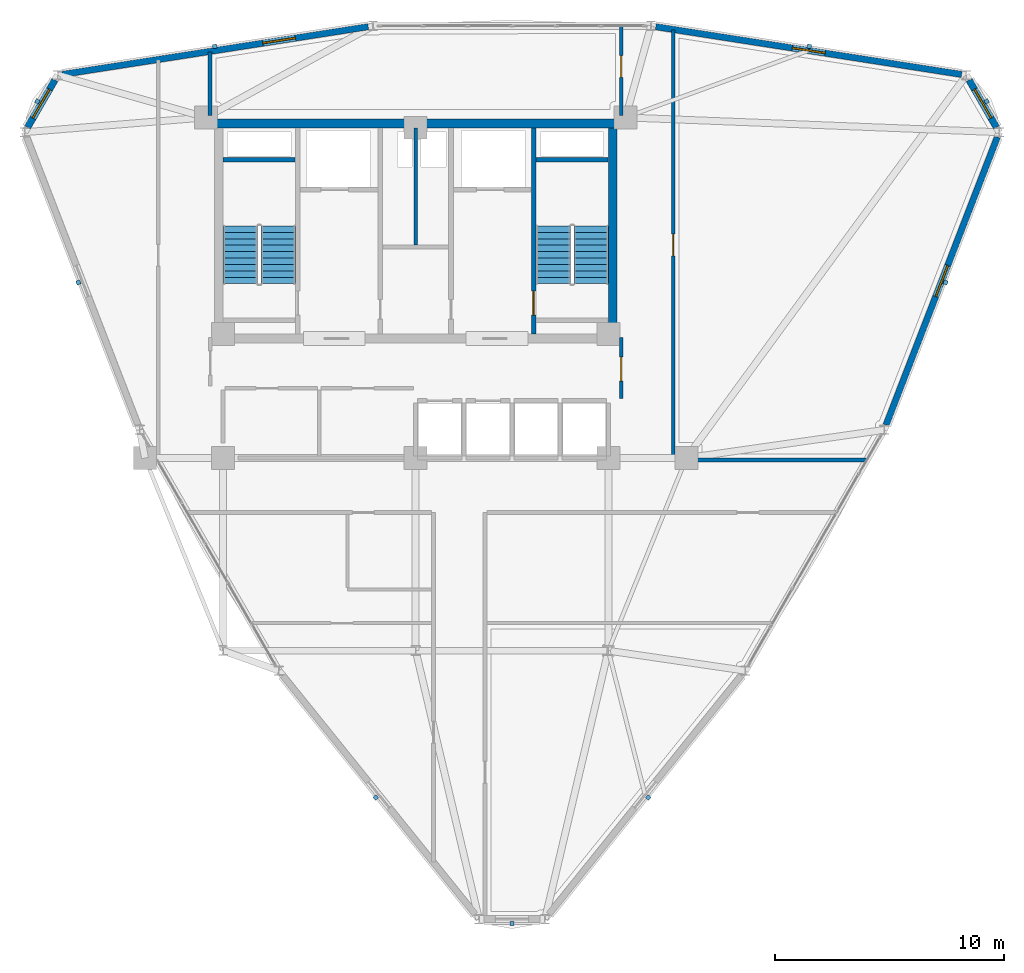
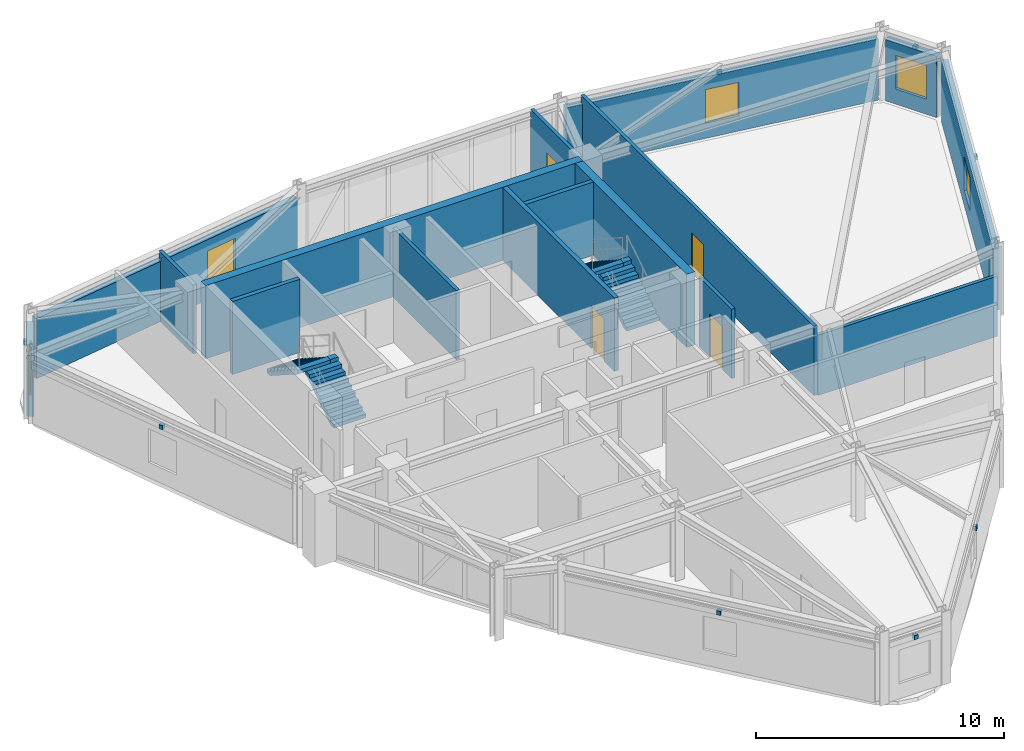
# One storey, part 14 of 16: 16 walls, 9 discrete accessories, 5 windows, 4 doors, 4 stair flights, 9 openings, 2 elements without a shape of their own.
"""IFC4 building model written with IfcOpenShell, lengths in metres."""

from ifc_helpers import new_model, si_unit, derived_unit, direction, frame, frame_2d, origin, origin_2d, place, context, subcontext, project, spatial, polyline, rectangle, outline, extrude, source, transform, mapped, material, layer, layer_set, type_object, element, fill, aggregate, save


model = new_model("IFC4")

# Units and contexts
model_context = context("Model", 3, precision=1e-05, world=origin(), true_north=direction((0.0, 1.0)))
body_context = subcontext(model_context, "Body", "Model", "MODEL_VIEW")
ifc_project = project(units=[si_unit("LENGTHUNIT", "METRE"), si_unit("AREAUNIT", "SQUARE_METRE"), si_unit("VOLUMEUNIT", "CUBIC_METRE"), si_unit("PLANEANGLEUNIT", "RADIAN"), si_unit("MASSUNIT", "GRAM", prefix="KILO"), derived_unit("THERMALTRANSMITTANCEUNIT", [(si_unit("POWERUNIT", "WATT"), 1), (si_unit("LENGTHUNIT", "METRE"), -2), (si_unit("THERMODYNAMICTEMPERATUREUNIT", "KELVIN"), -1)])], contexts=[model_context])

# Site, building, storey
site_placement = place(None, origin())
site = spatial("IfcSite", under=ifc_project, at=site_placement, CompositionType="ELEMENT")
building_placement = place(site_placement, origin())
building = spatial("IfcBuilding", under=site, at=building_placement, Name="Korsvarv Bourse and Concert Hall", CompositionType="ELEMENT")
storey_placement = place(building_placement, frame((0.0, 0.0, 227.39990234375)))
storey = spatial("IfcBuildingStorey", under=building, at=storey_placement, Name="L59", CompositionType="ELEMENT", Elevation=227.39990234375)

# Walls
ifc_material_1 = material(Name="Concrete C50/60", Category="concrete")
ifc_layer_1 = layer(ifc_material_1, 0.3798828125)
ifc_layer_set_1 = layer_set([ifc_layer_1], Name="Concrete C50/60")
wall_type_1 = type_object("IfcWallType", Name="WL-CORE-380", PredefinedType="SHEAR", material=ifc_layer_set_1)
wall_1_placement = place(storey_placement, frame((27.219970703125, 46.989990234375, 0.0), z_axis=(0.0, 0.0, 1.0), x_axis=(1.0, 0.0, 0.0)))
element("IfcWall", 1, at=wall_1_placement, inside=storey, type_object=wall_type_1, Name="L59 North Core Shear Wall", PredefinedType="SHEAR", context=body_context, shape_type="SweptSolid", body=[
    extrude(rectangle(XDim=17.56005859375, YDim=0.3798828125, at=frame_2d((8.780029296875, 0.0))), origin(), (0.0, 0.0, 1.0), 3.60009765625),
])
wall_2_placement = place(storey_placement, frame((44.590087890625, 37.800048828125, 0.0), z_axis=(0.0, 0.0, 1.0), x_axis=(0.0, 1.0, 0.0)))
element("IfcWall", 2, at=wall_2_placement, inside=storey, type_object=wall_type_1, Name="L59 East Core Shear Wall", PredefinedType="SHEAR", context=body_context, shape_type="SweptSolid", body=[
    extrude(rectangle(XDim=9.0, YDim=0.3798828125, at=frame_2d((4.5, 0.0))), origin(), (0.0, 0.0, 1.0), 3.60009765625),
])
wall_3_placement = place(storey_placement, frame((27.610107421875, 45.39990234375, 0.0), z_axis=(0.0, 0.0, 1.0), x_axis=(1.0, 0.0, 0.0)))
element("IfcWall", 3, at=wall_3_placement, inside=storey, type_object=wall_type_1, Name="L59 stair shaft structural wall W-L59-ST1-N", PredefinedType="SHEAR", context=body_context, shape_type="SweptSolid", body=[
    extrude(rectangle(XDim=3.139892578125, YDim=0.199951171875, at=frame_2d((1.56982421875, 0.0))), origin(), (0.0, 0.0, 1.0), 3.60009765625),
])

# Wall, opening, door
wall_4_placement = place(storey_placement, frame((41.139892578125, 37.81005859375, 0.0), z_axis=(0.0, 0.0, 1.0), x_axis=(0.0, 1.0, 0.0)))
wall_4 = element("IfcWall", 4, at=wall_4_placement, inside=storey, type_object=wall_type_1, Name="L59 stair shaft structural wall W-L59-ST2-W", PredefinedType="SHEAR", context=body_context, shape_type="SweptSolid", body=[
    extrude(rectangle(XDim=8.97998046875, YDim=0.199951171875, at=frame_2d((4.489990234375, 0.0))), origin(), (0.0, 0.0, 1.0), 3.60009765625),
])
opening_1_placement = place(wall_4_placement, frame((0.820068359375, 0.0, 0.0)))
opening_1 = element("IfcOpeningElement", 5, at=opening_1_placement, cuts=wall_4, Name="Opening D-01", PredefinedType="OPENING", context=body_context, shape_type="SweptSolid", body=[
    extrude(rectangle(XDim=1.050048828125, YDim=2.10009765625, at=frame_2d((0.52490234375, 1.050048828125))), frame((0.0, 0.10986328125, 0.0), z_axis=(0.0, -1.0, 0.0), x_axis=(1.0, 0.0, 0.0)), (0.0, 0.0, 1.0), 0.219970703125),
])
ifc_material_2 = material(Name="Steel S355 fire door", Category="steel")
door_type_1 = type_object("IfcDoorType", Name="DR-FD60", OperationType="NOTDEFINED", PredefinedType="DOOR", material=ifc_material_2)
door_1_placement = place(opening_1_placement, frame((1.050048828125, 0.0, 0.0), z_axis=(0.0, 0.0, 1.0), x_axis=(-1.0, 0.0, 0.0)))
door_1 = element("IfcDoor", 6, at=door_1_placement, inside=storey, type_object=door_type_1, Name="L59 interior door DR-L59-ST2", OperationType="SINGLE_SWING_LEFT", OverallHeight=2.10009765625, OverallWidth=1.050048828125, PredefinedType="DOOR", context=body_context, shape_type="SweptSolid", body=[
    extrude(rectangle(XDim=1.050048828125, YDim=2.10009765625, at=frame_2d((0.52490234375, 1.050048828125))), frame((0.0, 0.02490234375, 0.0), z_axis=(0.0, -1.0, 0.0), x_axis=(1.0, 0.0, 0.0)), (0.0, 0.0, 1.0), 0.050048828125),
])
fill(opening_1, door_1)

# Wall
wall_5_placement = place(storey_placement, frame((41.25, 45.39990234375, 0.0), z_axis=(0.0, 0.0, 1.0), x_axis=(1.0, 0.0, 0.0)))
element("IfcWall", 7, at=wall_5_placement, inside=storey, type_object=wall_type_1, Name="L59 stair shaft structural wall W-L59-ST2-N", PredefinedType="SHEAR", context=body_context, shape_type="SweptSolid", body=[
    extrude(rectangle(XDim=3.139892578125, YDim=0.199951171875, at=frame_2d((1.56982421875, 0.0))), origin(), (0.0, 0.0, 1.0), 3.60009765625),
])

# Wall, opening, window
ifc_material_3 = material(Name="Precast concrete C45/55 with terracotta rainscreen", Category="concrete")
ifc_layer_2 = layer(ifc_material_3, 0.300048828125)
ifc_layer_set_2 = layer_set([ifc_layer_2], Name="Precast concrete C45/55 with terracotta rainscreen")
wall_type_2 = type_object("IfcWallType", Name="WL-EXT-TC1", PredefinedType="SOLIDWALL", material=ifc_layer_set_2)
wall_6_placement = place(storey_placement, frame((61.32421875, 46.8193359375, 0.0), z_axis=(0.0, 0.0, 1.0), x_axis=(-0.499938113561, 0.866061130988, 0.0)))
wall_6 = element("IfcWall", 8, at=wall_6_placement, inside=storey, type_object=wall_type_2, Name="L59 terracotta exterior wall EW-L59-B01", PredefinedType="SOLIDWALL", context=body_context, shape_type="SweptSolid", body=[
    extrude(rectangle(XDim=2.384521484375, YDim=0.300048828125, at=frame_2d((1.1923828125, 0.0))), origin(), (0.0, 0.0, 1.0), 3.02001953125),
])
opening_2_placement = place(wall_6_placement, frame((0.46728515625, 0.0, 0.75)))
opening_2 = element("IfcOpeningElement", 9, at=opening_2_placement, cuts=wall_6, Name="Opening W-02", PredefinedType="OPENING", context=body_context, shape_type="SweptSolid", body=[
    extrude(rectangle(XDim=1.449951171875, YDim=1.64990234375, at=frame_2d((0.72509765625, 0.824951171875))), frame((0.0, 0.16015625, 0.0), z_axis=(0.0, -1.0, 0.0), x_axis=(1.0, 0.0, 0.0)), (0.0, 0.0, 1.0), 0.320068359375),
])
ifc_material_4 = material(Name="Thermally broken aluminium frame with triple low-E glass", Category="glass")
window_type = type_object("IfcWindowType", Name="WIN-TW2", PartitioningType="SINGLE_PANEL", PredefinedType="WINDOW", material=ifc_material_4)
window_1_placement = place(opening_2_placement, origin())
window_1 = element("IfcWindow", 10, at=window_1_placement, inside=storey, type_object=window_type, Name="L59 punched facade window W-02", OverallHeight=1.64990234375, OverallWidth=1.449951171875, PartitioningType="SINGLE_PANEL", PredefinedType="WINDOW", context=body_context, shape_type="SweptSolid", body=[
    extrude(rectangle(XDim=1.449951171875, YDim=1.64990234375, at=frame_2d((0.72509765625, 0.824951171875))), frame((0.0, 0.030029296875, 0.0), z_axis=(0.0, -1.0, 0.0), x_axis=(1.0, 0.0, 0.0)), (0.0, 0.0, 1.0), 0.06005859375),
])
fill(opening_2, window_1)

wall_7_placement = place(storey_placement, frame((20.26806640625, 48.884521484375, 0.0), z_axis=(0.0, 0.0, 1.0), x_axis=(-0.500014901547, -0.866016800201, 0.0)))
wall_7 = element("IfcWall", 11, at=wall_7_placement, inside=storey, type_object=wall_type_2, Name="L59 terracotta exterior wall EW-L59-B05", PredefinedType="SOLIDWALL", context=body_context, shape_type="SweptSolid", body=[
    extrude(rectangle(XDim=2.384765625, YDim=0.300048828125, at=frame_2d((1.1923828125, 0.0))), origin(), (0.0, 0.0, 1.0), 3.02001953125),
])
opening_3_placement = place(wall_7_placement, frame((0.46728515625, 0.0, 0.75)))
opening_3 = element("IfcOpeningElement", 12, at=opening_3_placement, cuts=wall_7, Name="Opening W-02", PredefinedType="OPENING", context=body_context, shape_type="SweptSolid", body=[
    extrude(rectangle(XDim=1.449951171875, YDim=1.64990234375, at=frame_2d((0.72509765625, 0.824951171875))), frame((0.0, 0.16015625, 0.0), z_axis=(0.0, -1.0, 0.0), x_axis=(1.0, 0.0, 0.0)), (0.0, 0.0, 1.0), 0.320068359375),
])
window_2_placement = place(opening_3_placement, origin())
window_2 = element("IfcWindow", 13, at=window_2_placement, inside=storey, type_object=window_type, Name="L59 punched facade window W-02", OverallHeight=1.64990234375, OverallWidth=1.449951171875, PartitioningType="SINGLE_PANEL", PredefinedType="WINDOW", context=body_context, shape_type="SweptSolid", body=[
    extrude(rectangle(XDim=1.449951171875, YDim=1.64990234375, at=frame_2d((0.72509765625, 0.824951171875))), frame((0.0, 0.030029296875, 0.0), z_axis=(0.0, -1.0, 0.0), x_axis=(1.0, 0.0, 0.0)), (0.0, 0.0, 1.0), 0.06005859375),
])
fill(opening_3, window_2)

ifc_material_5 = material(Name="Precast concrete C45/55 with fluted terracotta pier", Category="concrete")
ifc_layer_3 = layer(ifc_material_5, 0.280029296875)
ifc_layer_set_3 = layer_set([ifc_layer_3], Name="Precast concrete C45/55 with fluted terracotta pier")
wall_type_3 = type_object("IfcWallType", Name="WL-EXT-TC2", PredefinedType="SOLIDWALL", material=ifc_layer_set_3)
wall_8_placement = place(storey_placement, frame((59.801025390625, 49.1298828125, 0.0), z_axis=(0.0, 0.0, 1.0), x_axis=(-0.988058992674, 0.154076042901, 0.0)))
wall_8 = element("IfcWall", 14, at=wall_8_placement, inside=storey, type_object=wall_type_3, Name="L59 terracotta exterior wall EW-L59-B02", PredefinedType="SOLIDWALL", context=body_context, shape_type="SweptSolid", body=[
    extrude(rectangle(XDim=13.492431640625, YDim=0.280029296875, at=frame_2d((6.74609375, 0.0))), origin(), (0.0, 0.0, 1.0), 3.02001953125),
])
opening_4_placement = place(wall_8_placement, frame((6.02099609375, 0.0, 0.75)))
opening_4 = element("IfcOpeningElement", 15, at=opening_4_placement, cuts=wall_8, Name="Opening W-02", PredefinedType="OPENING", context=body_context, shape_type="SweptSolid", body=[
    extrude(rectangle(XDim=1.449951171875, YDim=1.64990234375, at=frame_2d((0.72509765625, 0.824951171875))), frame((0.0, 0.14990234375, 0.0), z_axis=(0.0, -1.0, 0.0), x_axis=(1.0, 0.0, 0.0)), (0.0, 0.0, 1.0), 0.300048828125),
])
window_3_placement = place(opening_4_placement, origin())
window_3 = element("IfcWindow", 16, at=window_3_placement, inside=storey, type_object=window_type, Name="L59 punched facade window W-02", OverallHeight=1.64990234375, OverallWidth=1.449951171875, PartitioningType="SINGLE_PANEL", PredefinedType="WINDOW", context=body_context, shape_type="SweptSolid", body=[
    extrude(rectangle(XDim=1.449951171875, YDim=1.64990234375, at=frame_2d((0.72509765625, 0.824951171875))), frame((0.0, 0.030029296875, 0.0), z_axis=(0.0, -1.0, 0.0), x_axis=(1.0, 0.0, 0.0)), (0.0, 0.0, 1.0), 0.06005859375),
])
fill(opening_4, window_3)

wall_9_placement = place(storey_placement, frame((33.93017578125, 51.208740234375, 0.0), z_axis=(0.0, 0.0, 1.0), x_axis=(-0.988058563106, -0.154078797613, 0.0)))
wall_9 = element("IfcWall", 17, at=wall_9_placement, inside=storey, type_object=wall_type_3, Name="L59 terracotta exterior wall EW-L59-B04", PredefinedType="SOLIDWALL", context=body_context, shape_type="SweptSolid", body=[
    extrude(rectangle(XDim=13.4921875, YDim=0.280029296875, at=frame_2d((6.74609375, 0.0))), origin(), (0.0, 0.0, 1.0), 2.960205078125),
])
opening_5_placement = place(wall_9_placement, frame((3.210693359375, 0.0, 0.75)))
opening_5 = element("IfcOpeningElement", 18, at=opening_5_placement, cuts=wall_9, Name="Opening W-02", PredefinedType="OPENING", context=body_context, shape_type="SweptSolid", body=[
    extrude(rectangle(XDim=1.449951171875, YDim=1.64990234375, at=frame_2d((0.72509765625, 0.824951171875))), frame((0.0, 0.14990234375, 0.0), z_axis=(0.0, -1.0, 0.0), x_axis=(1.0, 0.0, 0.0)), (0.0, 0.0, 1.0), 0.300048828125),
])
window_4_placement = place(opening_5_placement, origin())
window_4 = element("IfcWindow", 19, at=window_4_placement, inside=storey, type_object=window_type, Name="L59 punched facade window W-02", OverallHeight=1.64990234375, OverallWidth=1.449951171875, PartitioningType="SINGLE_PANEL", PredefinedType="WINDOW", context=body_context, shape_type="SweptSolid", body=[
    extrude(rectangle(XDim=1.449951171875, YDim=1.64990234375, at=frame_2d((0.72509765625, 0.824951171875))), frame((0.0, 0.030029296875, 0.0), z_axis=(0.0, -1.0, 0.0), x_axis=(1.0, 0.0, 0.0)), (0.0, 0.0, 1.0), 0.06005859375),
])
fill(opening_5, window_4)

wall_10_placement = place(storey_placement, frame((56.512451171875, 33.842041015625, 0.0), z_axis=(0.0, 0.0, 1.0), x_axis=(0.360605208927, 0.932718544522, 0.0)))
wall_10 = element("IfcWall", 20, at=wall_10_placement, inside=storey, type_object=wall_type_3, Name="L59 terracotta exterior wall EW-L59-B12", PredefinedType="SOLIDWALL", context=body_context, shape_type="SweptSolid", body=[
    extrude(rectangle(XDim=13.45654296875, YDim=0.280029296875, at=frame_2d((6.728271484375, 0.0))), origin(), (0.0, 0.0, 1.0), 3.02001953125),
])
opening_6_placement = place(wall_10_placement, frame((6.00341796875, 0.0, 0.75)))
opening_6 = element("IfcOpeningElement", 21, at=opening_6_placement, cuts=wall_10, Name="Opening W-02", PredefinedType="OPENING", context=body_context, shape_type="SweptSolid", body=[
    extrude(rectangle(XDim=1.449951171875, YDim=1.64990234375, at=frame_2d((0.72509765625, 0.824951171875))), frame((0.0, 0.14990234375, 0.0), z_axis=(0.0, -1.0, 0.0), x_axis=(1.0, 0.0, 0.0)), (0.0, 0.0, 1.0), 0.300048828125),
])
window_5_placement = place(opening_6_placement, origin())
window_5 = element("IfcWindow", 22, at=window_5_placement, inside=storey, type_object=window_type, Name="L59 punched facade window W-02", OverallHeight=1.64990234375, OverallWidth=1.449951171875, PartitioningType="SINGLE_PANEL", PredefinedType="WINDOW", context=body_context, shape_type="SweptSolid", body=[
    extrude(rectangle(XDim=1.449951171875, YDim=1.64990234375, at=frame_2d((0.72509765625, 0.824951171875))), frame((0.0, 0.030029296875, 0.0), z_axis=(0.0, -1.0, 0.0), x_axis=(1.0, 0.0, 0.0)), (0.0, 0.0, 1.0), 0.06005859375),
])
fill(opening_6, window_5)

# Wall
ifc_material_6 = material(Name="Double-stud fire-rated acoustic partition", Category="gypsum")
ifc_layer_4 = layer(ifc_material_6, 0.159912109375)
ifc_layer_set_4 = layer_set([ifc_layer_4], Name="Double-stud fire-rated acoustic partition")
wall_type_4 = type_object("IfcWallType", Name="WL-INT-EI60", PredefinedType="PARTITIONING", material=ifc_layer_set_4)
wall_11_placement = place(storey_placement, frame((36.0048828125, 41.68994140625, 0.0), z_axis=(0.0, 0.0, 1.0), x_axis=(0.0, 1.0, 0.0)))
element("IfcWall", 23, at=wall_11_placement, inside=storey, type_object=wall_type_4, Name="L59 interior partition wall W-L59-K2", PredefinedType="PARTITIONING", context=body_context, shape_type="SweptSolid", body=[
    extrude(rectangle(XDim=5.10009765625, YDim=0.159912109375, at=frame_2d((2.550048828125, 0.0))), origin(), (0.0, 0.0, 1.0), 3.41015625),
])

# Wall, opening, door
wall_12_placement = place(storey_placement, frame((44.9599609375, 35.0, 0.0), z_axis=(0.0, 0.0, 1.0), x_axis=(0.0, 1.0, 0.0)))
wall_12 = element("IfcWall", 24, at=wall_12_placement, inside=storey, type_object=wall_type_4, Name="L59 interior partition wall W-L59-LOB-E", PredefinedType="PARTITIONING", context=body_context, shape_type="SweptSolid", body=[
    extrude(rectangle(XDim=2.64990234375, YDim=0.159912109375, at=frame_2d((1.324951171875, 0.0))), origin(), (0.0, 0.0, 1.0), 3.41015625),
])
opening_7_placement = place(wall_12_placement, frame((0.75, 0.0, 0.0)))
opening_7 = element("IfcOpeningElement", 25, at=opening_7_placement, cuts=wall_12, Name="Opening D-01", PredefinedType="OPENING", context=body_context, shape_type="SweptSolid", body=[
    extrude(rectangle(XDim=1.050048828125, YDim=2.10009765625, at=frame_2d((0.52490234375, 1.050048828125))), frame((0.0, 0.08984375, 0.0), z_axis=(0.0, -1.0, 0.0), x_axis=(1.0, 0.0, 0.0)), (0.0, 0.0, 1.0), 0.179931640625),
])
door_2_placement = place(opening_7_placement, origin())
door_2 = element("IfcDoor", 26, at=door_2_placement, inside=storey, type_object=door_type_1, Name="L59 interior door DR-L59-LOBE", OperationType="SINGLE_SWING_LEFT", OverallHeight=2.10009765625, OverallWidth=1.050048828125, PredefinedType="DOOR", context=body_context, shape_type="SweptSolid", body=[
    extrude(rectangle(XDim=1.050048828125, YDim=2.10009765625, at=frame_2d((0.52490234375, 1.050048828125))), frame((0.0, 0.02490234375, 0.0), z_axis=(0.0, -1.0, 0.0), x_axis=(1.0, 0.0, 0.0)), (0.0, 0.0, 1.0), 0.050048828125),
])
fill(opening_7, door_2)

wall_13_placement = place(storey_placement, frame((47.22509765625, 32.31005859375, 0.0), z_axis=(0.0, 0.0, 1.0), x_axis=(0.0, 1.0, 0.0)))
wall_13 = element("IfcWall", 27, at=wall_13_placement, inside=storey, type_object=wall_type_4, Name="L59 interior partition wall W-L59-TCOR-01", PredefinedType="PARTITIONING", context=body_context, shape_type="SweptSolid", body=[
    extrude(rectangle(XDim=18.7607421875, YDim=0.159912109375, at=frame_2d((9.38037109375, 0.0))), origin(), (0.0, 0.0, 1.0), 3.41015625),
])
opening_8_placement = place(wall_13_placement, frame((8.905517578125, 0.0, 0.0)))
opening_8 = element("IfcOpeningElement", 28, at=opening_8_placement, cuts=wall_13, Name="Opening D-02", PredefinedType="OPENING", context=body_context, shape_type="SweptSolid", body=[
    extrude(rectangle(XDim=0.949951171875, YDim=2.050048828125, at=frame_2d((0.47509765625, 1.02490234375))), frame((0.0, 0.08984375, 0.0), z_axis=(0.0, -1.0, 0.0), x_axis=(1.0, 0.0, 0.0)), (0.0, 0.0, 1.0), 0.179931640625),
])
ifc_material_7 = material(Name="Timber and steel acoustic fire door", Category="wood")
door_type_2 = type_object("IfcDoorType", Name="DR-FD30", OperationType="NOTDEFINED", PredefinedType="DOOR", material=ifc_material_7)
door_3_placement = place(opening_8_placement, origin())
door_3 = element("IfcDoor", 29, at=door_3_placement, inside=storey, type_object=door_type_2, Name="L59 interior door DR-L59-TCOR-NEJ1", OperationType="SINGLE_SWING_RIGHT", OverallHeight=2.050048828125, OverallWidth=0.949951171875, PredefinedType="DOOR", context=body_context, shape_type="SweptSolid", body=[
    extrude(rectangle(XDim=0.949951171875, YDim=2.050048828125, at=frame_2d((0.47509765625, 1.02490234375))), frame((0.0, 0.02490234375, 0.0), z_axis=(0.0, -1.0, 0.0), x_axis=(1.0, 0.0, 0.0)), (0.0, 0.0, 1.0), 0.050048828125),
])
fill(opening_8, door_3)

# Wall
wall_14_placement = place(storey_placement, frame((47.306884765625, 32.31494140625, 0.0), z_axis=(0.0, 0.0, 1.0), x_axis=(1.0, 0.0, 0.0)))
element("IfcWall", 30, at=wall_14_placement, inside=storey, type_object=wall_type_4, Name="L59 interior partition wall W-L59-TCOR-07", PredefinedType="PARTITIONING", context=body_context, shape_type="SweptSolid", body=[
    extrude(rectangle(XDim=8.344482421875, YDim=0.159912109375, at=frame_2d((4.17236328125, 0.0))), origin(), (0.0, 0.0, 1.0), 2.960205078125),
])

# Wall, opening, door
wall_15_placement = place(storey_placement, frame((44.965087890625, 47.340087890625, 0.0), z_axis=(0.0, 0.0, 1.0), x_axis=(0.0, 1.0, 0.0)))
wall_15 = element("IfcWall", 31, at=wall_15_placement, inside=storey, type_object=wall_type_4, Name="L59 interior partition wall W-L59-TCOR-08", PredefinedType="PARTITIONING", context=body_context, shape_type="SweptSolid", body=[
    extrude(rectangle(XDim=3.881103515625, YDim=0.159912109375, at=frame_2d((1.9404296875, 0.0))), origin(), (0.0, 0.0, 1.0), 3.41015625),
])
opening_9_placement = place(wall_15_placement, frame((1.656494140625, 0.0, 0.0)))
opening_9 = element("IfcOpeningElement", 32, at=opening_9_placement, cuts=wall_15, Name="Opening D-02", PredefinedType="OPENING", context=body_context, shape_type="SweptSolid", body=[
    extrude(rectangle(XDim=0.949951171875, YDim=2.050048828125, at=frame_2d((0.47509765625, 1.02490234375))), frame((0.0, 0.08984375, 0.0), z_axis=(0.0, -1.0, 0.0), x_axis=(1.0, 0.0, 0.0)), (0.0, 0.0, 1.0), 0.179931640625),
])
door_4_placement = place(opening_9_placement, origin())
door_4 = element("IfcDoor", 33, at=door_4_placement, inside=storey, type_object=door_type_2, Name="L59 interior door DR-L59-TCOR-RM44", OperationType="SINGLE_SWING_RIGHT", OverallHeight=2.050048828125, OverallWidth=0.949951171875, PredefinedType="DOOR", context=body_context, shape_type="SweptSolid", body=[
    extrude(rectangle(XDim=0.949951171875, YDim=2.050048828125, at=frame_2d((0.47509765625, 1.02490234375))), frame((0.0, 0.02490234375, 0.0), z_axis=(0.0, -1.0, 0.0), x_axis=(1.0, 0.0, 0.0)), (0.0, 0.0, 1.0), 0.050048828125),
])
fill(opening_9, door_4)

# Wall
wall_16_placement = place(storey_placement, frame((27.034912109375, 47.340087890625, 0.0), z_axis=(0.0, 0.0, 1.0), x_axis=(0.0, 1.0, 0.0)))
element("IfcWall", 34, at=wall_16_placement, inside=storey, type_object=wall_type_4, Name="L59 interior partition wall W-L59-TCOR-09", PredefinedType="PARTITIONING", context=body_context, shape_type="SweptSolid", body=[
    extrude(rectangle(XDim=2.7734375, YDim=0.159912109375, at=frame_2d((1.38671875, 0.0))), origin(), (0.0, 0.0, 1.0), 3.41015625),
])

# Stair, stair flights
ifc_material_8 = material(Name="Precast concrete C45/55", Category="concrete")
stair_type = type_object("IfcStairType", Name="STR-TYPE-04", PredefinedType="HALF_TURN_STAIR", material=ifc_material_8)
stair_1_placement = place(storey_placement, origin())
stair_1 = element("IfcStair", 35, at=stair_1_placement, inside=storey, type_object=stair_type, Name="L59 Tower West Exit Stair ST-T1", PredefinedType="HALF_TURN_STAIR")
stair_flight_type = type_object("IfcStairFlightType", Name="FLT-TYPE-04", PredefinedType="STRAIGHT", material=ifc_material_8)
stair_flight_1_placement = place(storey_placement, frame((30.010009765625, 40.0, 0.0), z_axis=(0.0, 0.0, 1.0), x_axis=(0.0, 1.0, 0.0)))
stair_flight_1 = element("IfcStairFlight", 36, at=stair_flight_1_placement, type_object=stair_flight_type, Name="ST-T1 flight 1", NumberOfRisers=10, NumberOfTreads=9, PredefinedType="STRAIGHT", RiserHeight=0.18, TreadLength=0.28, context=body_context, shape_type="SweptSolid", body=[
    extrude(outline(polyline([(0.0, 0.0), (0.0, 0.179931640625), (0.280029296875, 0.179931640625), (0.280029296875, 0.360107421875), (0.56005859375, 0.360107421875), (0.56005859375, 0.5400390625), (0.840087890625, 0.5400390625), (0.840087890625, 0.719970703125), (1.1201171875, 0.719970703125), (1.1201171875, 0.89990234375), (1.39990234375, 0.89990234375), (1.39990234375, 1.080078125), (1.679931640625, 1.080078125), (1.679931640625, 1.260009765625), (1.9599609375, 1.260009765625), (1.9599609375, 1.43994140625), (2.239990234375, 1.43994140625), (2.239990234375, 1.6201171875), (2.52001953125, 1.6201171875), (2.52001953125, 1.800048828125), (2.52001953125, 1.44189453125), (0.277099609375, 0.0), (0.0, 0.0)])), frame((0.0, 0.75, 0.0), z_axis=(0.0, -1.0, 0.0), x_axis=(1.0, 0.0, 0.0)), (0.0, 0.0, 1.0), 1.5),
])
stair_flight_2_placement = place(storey_placement, frame((28.35009765625, 42.52001953125, 1.800048828125), z_axis=(0.0, 0.0, 1.0), x_axis=(0.0, -1.0, 0.0)))
stair_flight_2 = element("IfcStairFlight", 37, at=stair_flight_2_placement, type_object=stair_flight_type, Name="ST-T1 flight 2", NumberOfRisers=10, NumberOfTreads=9, PredefinedType="STRAIGHT", RiserHeight=0.18, TreadLength=0.28, context=body_context, shape_type="SweptSolid", body=[
    extrude(outline(polyline([(0.0, 0.0), (0.0, 0.179931640625), (0.280029296875, 0.179931640625), (0.280029296875, 0.360107421875), (0.56005859375, 0.360107421875), (0.56005859375, 0.5400390625), (0.840087890625, 0.5400390625), (0.840087890625, 0.719970703125), (1.1201171875, 0.719970703125), (1.1201171875, 0.89990234375), (1.39990234375, 0.89990234375), (1.39990234375, 1.080078125), (1.679931640625, 1.080078125), (1.679931640625, 1.260009765625), (1.9599609375, 1.260009765625), (1.9599609375, 1.43994140625), (2.239990234375, 1.43994140625), (2.239990234375, 1.6201171875), (2.52001953125, 1.6201171875), (2.52001953125, 1.800048828125), (2.52001953125, 1.44189453125), (0.277099609375, 0.0), (0.0, 0.0)])), frame((0.0, 0.75, 0.0), z_axis=(0.0, -1.0, 0.0), x_axis=(1.0, 0.0, 0.0)), (0.0, 0.0, 1.0), 1.5),
])
aggregate(stair_1, [stair_flight_1, stair_flight_2])

stair_2_placement = place(storey_placement, origin())
stair_2 = element("IfcStair", 38, at=stair_2_placement, inside=storey, type_object=stair_type, Name="L59 Tower East Exit Stair ST-T2", PredefinedType="HALF_TURN_STAIR")
stair_flight_3_placement = place(storey_placement, frame((43.64990234375, 40.0, 0.0), z_axis=(0.0, 0.0, 1.0), x_axis=(0.0, 1.0, 0.0)))
stair_flight_3 = element("IfcStairFlight", 39, at=stair_flight_3_placement, type_object=stair_flight_type, Name="ST-T2 flight 1", NumberOfRisers=10, NumberOfTreads=9, PredefinedType="STRAIGHT", RiserHeight=0.18, TreadLength=0.28, context=body_context, shape_type="SweptSolid", body=[
    extrude(outline(polyline([(0.0, 0.0), (0.0, 0.179931640625), (0.280029296875, 0.179931640625), (0.280029296875, 0.360107421875), (0.56005859375, 0.360107421875), (0.56005859375, 0.5400390625), (0.840087890625, 0.5400390625), (0.840087890625, 0.719970703125), (1.1201171875, 0.719970703125), (1.1201171875, 0.89990234375), (1.39990234375, 0.89990234375), (1.39990234375, 1.080078125), (1.679931640625, 1.080078125), (1.679931640625, 1.260009765625), (1.9599609375, 1.260009765625), (1.9599609375, 1.43994140625), (2.239990234375, 1.43994140625), (2.239990234375, 1.6201171875), (2.52001953125, 1.6201171875), (2.52001953125, 1.800048828125), (2.52001953125, 1.44189453125), (0.277099609375, 0.0), (0.0, 0.0)])), frame((0.0, 0.75, 0.0), z_axis=(0.0, -1.0, 0.0), x_axis=(1.0, 0.0, 0.0)), (0.0, 0.0, 1.0), 1.5),
])
stair_flight_4_placement = place(storey_placement, frame((41.989990234375, 42.52001953125, 1.800048828125), z_axis=(0.0, 0.0, 1.0), x_axis=(0.0, -1.0, 0.0)))
stair_flight_4 = element("IfcStairFlight", 40, at=stair_flight_4_placement, type_object=stair_flight_type, Name="ST-T2 flight 2", NumberOfRisers=10, NumberOfTreads=9, PredefinedType="STRAIGHT", RiserHeight=0.18, TreadLength=0.28, context=body_context, shape_type="SweptSolid", body=[
    extrude(outline(polyline([(0.0, 0.0), (0.0, 0.179931640625), (0.280029296875, 0.179931640625), (0.280029296875, 0.360107421875), (0.56005859375, 0.360107421875), (0.56005859375, 0.5400390625), (0.840087890625, 0.5400390625), (0.840087890625, 0.719970703125), (1.1201171875, 0.719970703125), (1.1201171875, 0.89990234375), (1.39990234375, 0.89990234375), (1.39990234375, 1.080078125), (1.679931640625, 1.080078125), (1.679931640625, 1.260009765625), (1.9599609375, 1.260009765625), (1.9599609375, 1.43994140625), (2.239990234375, 1.43994140625), (2.239990234375, 1.6201171875), (2.52001953125, 1.6201171875), (2.52001953125, 1.800048828125), (2.52001953125, 1.44189453125), (0.277099609375, 0.0), (0.0, 0.0)])), frame((0.0, 0.75, 0.0), z_axis=(0.0, -1.0, 0.0), x_axis=(1.0, 0.0, 0.0)), (0.0, 0.0, 1.0), 1.5),
])
aggregate(stair_2, [stair_flight_3, stair_flight_4])

# Discrete accessories
ifc_material_9 = material(Name="Stainless Steel S355 facade outrigger bracket", Category="steel")
discrete_accessory_type = type_object("IfcDiscreteAccessoryType", Name="ACC-BRK-1", PredefinedType="BRACKET", material=ifc_material_9)
shared_shape = source(origin(), body_context, "Body", "SweptSolid", [
    extrude(rectangle(XDim=0.179931640625, YDim=0.179931640625, at=origin_2d()), origin(), (0.0, 0.0, 1.0), 0.199951171875),
])
for number, where, z_axis, x_axis, name in (
    (41, (60.892578125, 47.947021484375, 2.76025390625), (0.0, 0.0, 1.0), (-0.5, 0.866025403784, 0.0), "L59 terracotta sunshade bracket EW-L59-B01"),
    (42, (53.1630859375, 50.34716796875, 2.76025390625), (0.0, 0.0, 1.0), (-0.988067633226, 0.154020622552, 0.0), "L59 terracotta sunshade bracket EW-L59-B02"),
    (43, (27.23681640625, 50.34716796875, 2.7001953125), (0.0, 0.0, 1.0), (-0.988067633226, -0.154020622552, 0.0), "L59 terracotta sunshade bracket EW-L59-B04"),
    (44, (19.50732421875, 47.947021484375, 2.76025390625), (0.0, 0.0, 1.0), (-0.5, -0.866025403784, 0.0), "L59 terracotta sunshade bracket EW-L59-B05"),
    (45, (21.29345703125, 40.052734375, 2.76025390625), (0.0, 0.0, 1.0), (0.360648044776, -0.932701982307, 0.0), "L59 terracotta sunshade bracket EW-L59-B06"),
    (46, (34.256591796875, 17.60009765625, 2.7001953125), (0.0, 0.0, 1.0), (0.62741958845, -0.778681359755, 0.0), "L59 terracotta sunshade bracket EW-L59-B08"),
    (47, (40.199951171875, 12.106201171875, 2.76025390625), (0.0, 0.0, 1.0), (1.0, 0.0, 0.0), "L59 terracotta sunshade bracket EW-L59-B09"),
    (48, (46.1435546875, 17.60009765625, 2.7001953125), (0.0, 0.0, 1.0), (0.62741958845, 0.778681359755, 0.0), "L59 terracotta sunshade bracket EW-L59-B10"),
    (49, (59.106689453125, 40.052734375, 2.76025390625), (0.0, 0.0, 1.0), (0.360648044776, 0.932701982307, 0.0), "L59 terracotta sunshade bracket EW-L59-B12"),
):
    element("IfcDiscreteAccessory", number, at=place(storey_placement, frame(where, z_axis=z_axis, x_axis=x_axis)), inside=storey, type_object=discrete_accessory_type, Name=name, PredefinedType="BRACKET", context=body_context, shape_type="MappedRepresentation", body=[
        mapped(shared_shape, transform((0.0, 0.0, 0.0), scale=1.0)),
    ])

save(model, "model.ifc")
